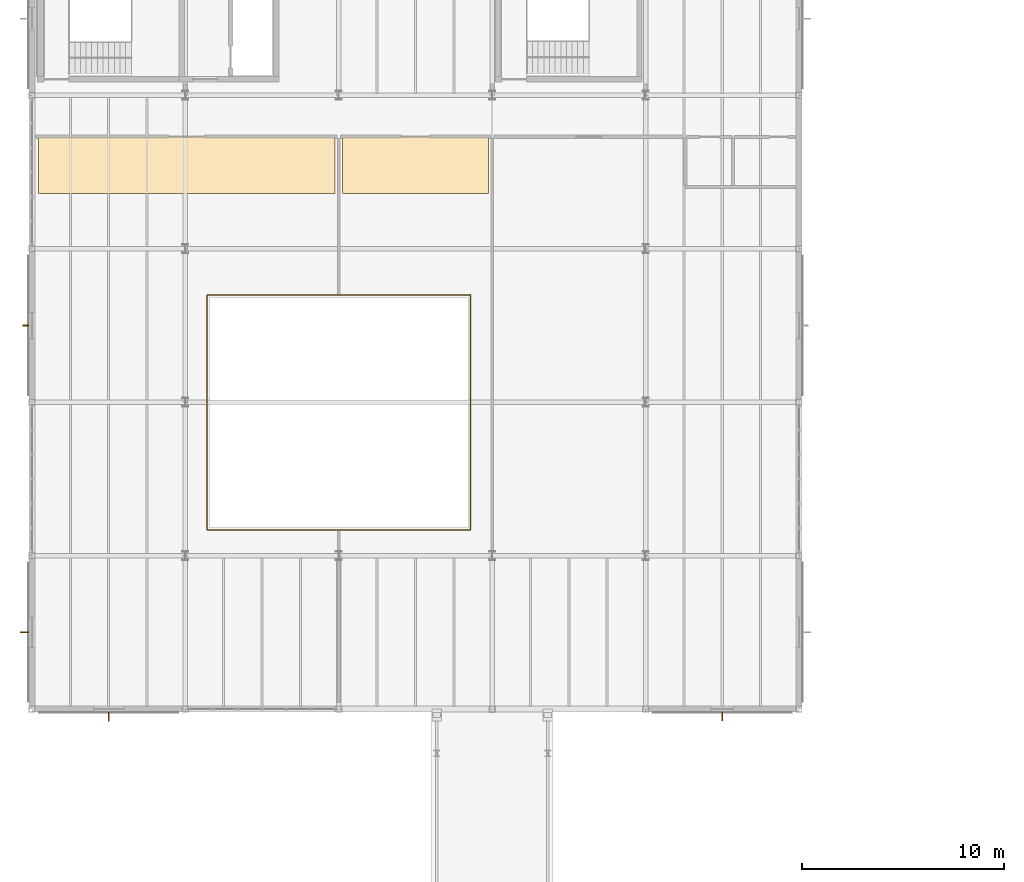
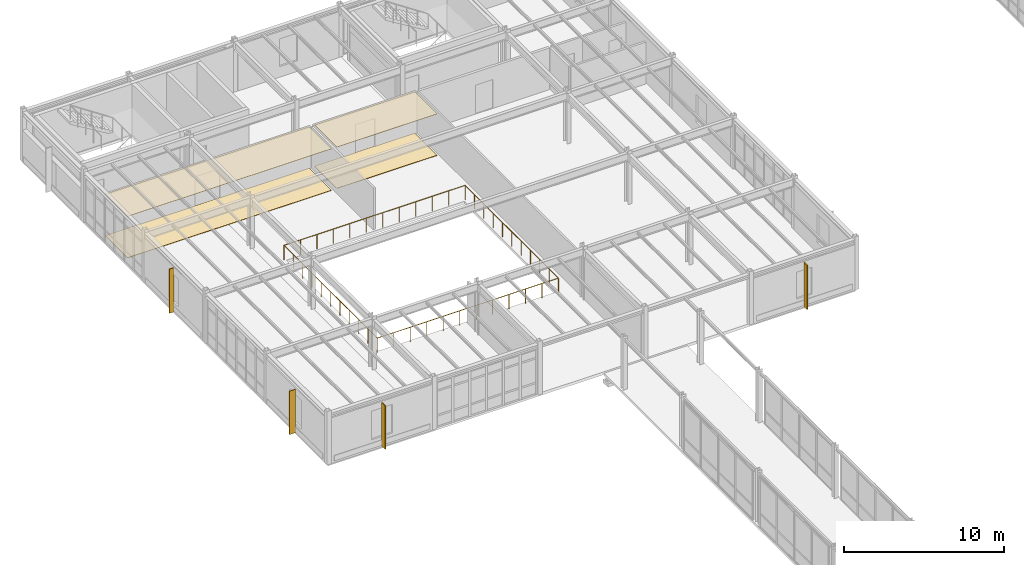
# One storey, part 156 of 165: 4 coverings, 4 shading devices, 1 railing.
"""IFC4 building model written with IfcOpenShell, lengths in metres."""

import ifcopenshell
import ifcopenshell.guid

model = None  # the IFC model being written
_history = None  # IfcOwnerHistory: only IFC2X3 demands one
_inside = {}  # id of a spatial element -> (the spatial element, [elements in it])
_under = {}  # id of a project, library or spatial element -> (it, [spatial elements below it])
_declared = {}  # id of a project -> (the project, [libraries it declares])
_typed = {}  # id of a type object -> (the type object, [elements of that type])
_made_of = {}  # id of a material, layer set ... -> (it, [elements and type objects made of it])


def new_model(schema):
    """Start an empty IFC model of exactly this schema.

    Asked for "IFC4X3", IfcOpenShell would pick the latest addendum, in which some entities
    have other attributes; the version numbers below select the first issue.
    IFC2X3 requires an IfcOwnerHistory on every rooted entity: one is made here for all.
    """
    global model, _history
    if schema == "IFC4X3":
        model = ifcopenshell.file(schema_version=(4, 3, 0, 0))
    else:
        model = ifcopenshell.file(schema=schema)
    _inside.clear()
    _under.clear()
    _declared.clear()
    _typed.clear()
    _made_of.clear()
    _history = None
    if model.schema == "IFC2X3":
        org = make("IfcOrganization", Name="unknown")
        user = make(
            "IfcPersonAndOrganization",
            ThePerson=make("IfcPerson", FamilyName="unknown"),
            TheOrganization=org,
        )
        app = make(
            "IfcApplication",
            ApplicationDeveloper=org,
            Version="unknown",
            ApplicationFullName="unknown",
            ApplicationIdentifier="unknown",
        )
        _history = make(
            "IfcOwnerHistory",
            OwningUser=user,
            OwningApplication=app,
            ChangeAction="ADDED",
            CreationDate=0,
        )
    return model


def make(cls, **values):
    """One entity of the class cls with the attributes given. An attribute that is None is left unset."""
    return model.create_entity(
        cls, **{name: value for name, value in values.items() if value is not None}
    )


def rooted(cls, **values):
    """An entity with a GlobalId (a new one), such as an element, a storey or a relation."""
    return make(cls, GlobalId=ifcopenshell.guid.new(), OwnerHistory=_history, **values)


def si_unit(unit_type, name, prefix=None):
    """IfcSIUnit, for example si_unit("LENGTHUNIT", "METRE", prefix="MILLI")."""
    return make("IfcSIUnit", UnitType=unit_type, Prefix=prefix, Name=name)


def assignment(units):
    """IfcUnitAssignment: the units of a project."""
    return None if units is None else make("IfcUnitAssignment", Units=units)


def point(xyz):
    """IfcCartesianPoint."""
    return None if xyz is None else make("IfcCartesianPoint", Coordinates=xyz)


def direction(xyz):
    """IfcDirection."""
    return None if xyz is None else make("IfcDirection", DirectionRatios=xyz)


def frame(location, z_axis=None, x_axis=None):
    """IfcAxis2Placement3D, a coordinate frame: its origin and axes. An axis left out is left unset."""
    return make(
        "IfcAxis2Placement3D",
        Location=point(location),
        Axis=direction(z_axis),
        RefDirection=direction(x_axis),
    )


def frame_2d(location, x_axis=None):
    """IfcAxis2Placement2D, a coordinate frame in the plane: its origin and x axis."""
    return make(
        "IfcAxis2Placement2D", Location=point(location), RefDirection=direction(x_axis)
    )


def origin():
    """The frame at (0, 0, 0) with its axes left unset."""
    return frame((0.0, 0.0, 0.0))


def origin_2d():
    """The frame at (0, 0) in the plane with its x axis left unset."""
    return frame_2d((0.0, 0.0))


def place(relative_to, where):
    """IfcLocalPlacement: puts the frame where relative to a parent placement (None: the world)."""
    return make(
        "IfcLocalPlacement", PlacementRelTo=relative_to, RelativePlacement=where
    )


def context(
    kind, dimensions, precision=None, world=None, true_north=None, identifier=None
):
    """IfcGeometricRepresentationContext, for example the 3D "Model" context."""
    return make(
        "IfcGeometricRepresentationContext",
        ContextIdentifier=identifier,
        ContextType=kind,
        CoordinateSpaceDimension=dimensions,
        Precision=precision,
        WorldCoordinateSystem=world,
        TrueNorth=true_north,
    )


def subcontext(parent, identifier, kind, view, scale=None):
    """IfcGeometricRepresentationSubContext, for example "Body" below "Model"."""
    return make(
        "IfcGeometricRepresentationSubContext",
        ContextIdentifier=identifier,
        ContextType=kind,
        ParentContext=parent,
        TargetScale=scale,
        TargetView=view,
    )


def project(units=None, contexts=None):
    """IfcProject with its units and contexts."""
    return rooted(
        "IfcProject",
        Name="project",
        RepresentationContexts=contexts,
        UnitsInContext=assignment(units),
    )


def spatial(cls, under=None, at=None, **own):
    """A site, building, storey or space (cls), placed at a placement, below another one or the project."""
    s = rooted(cls, ObjectPlacement=at, **own)
    if under is not None:
        _under.setdefault(under.id(), (under, []))[1].append(s)
    return s


def polyline(points):
    """IfcPolyline through the points."""
    return make("IfcPolyline", Points=[point(p) for p in points])


def profile(cls, at=None, kind="AREA", **sizes):
    """A parametric profile (cls). Its sizes go by their IFC names, for example OverallWidth=200.0."""
    return make(cls, ProfileType=kind, Position=at, **sizes)


def rectangle(**sizes):
    """IfcRectangleProfileDef."""
    return profile("IfcRectangleProfileDef", **sizes)


def circle(**sizes):
    """IfcCircleProfileDef."""
    return profile("IfcCircleProfileDef", **sizes)


def outline(outer, holes=None, kind="AREA"):
    """IfcArbitraryClosedProfileDef: a profile drawn as a closed curve; with holes, ...WithVoids."""
    if holes is None:
        return make("IfcArbitraryClosedProfileDef", ProfileType=kind, OuterCurve=outer)
    return make(
        "IfcArbitraryProfileDefWithVoids",
        ProfileType=kind,
        OuterCurve=outer,
        InnerCurves=holes,
    )


def extrude(swept, where, along, depth):
    """IfcExtrudedAreaSolid: the profile swept, set in the frame where, extruded along a direction by depth."""
    return make(
        "IfcExtrudedAreaSolid",
        SweptArea=swept,
        Position=where,
        ExtrudedDirection=direction(along),
        Depth=depth,
    )


def shape(context_of_items, identifier, shape_type, items):
    """IfcShapeRepresentation: the items that make up one representation, for example the "Body"."""
    return make(
        "IfcShapeRepresentation",
        ContextOfItems=context_of_items,
        RepresentationIdentifier=identifier,
        RepresentationType=shape_type,
        Items=items,
    )


def material(Name=None, Category=None):
    """IfcMaterial."""
    return make("IfcMaterial", Name=Name, Category=Category)


def layer(
    of_material, thickness, ventilated=None, Name=None, Category=None, Priority=None
):
    """IfcMaterialLayer: one layer of a wall or slab, of a material (None: an air gap)."""
    return make(
        "IfcMaterialLayer",
        Material=of_material,
        LayerThickness=thickness,
        IsVentilated=ventilated,
        Name=Name,
        Category=Category,
        Priority=Priority,
    )


def layer_set(layers, Name=None):
    """IfcMaterialLayerSet."""
    return make("IfcMaterialLayerSet", MaterialLayers=layers, LayerSetName=Name)


def made_of(thing, what):
    """Note that an element or type object is made of a material, layer set ...; save() writes the relation."""
    if what is not None:
        _made_of.setdefault(what.id(), (what, []))[1].append(thing)
    return thing


def type_object(cls, material=None, **own):
    """A type object (cls), such as IfcWallType, which elements share."""
    return made_of(rooted(cls, **own), material)


def element(
    cls,
    number,
    at=None,
    inside=None,
    cuts=None,
    type_object=None,
    material=None,
    context=None,
    identifier="Body",
    shape_type=None,
    held_by="IfcProductDefinitionShape",
    body=None,
    shapes=None,
    **own,
):
    """One element of the class cls, such as IfcWall. Its Tag is "e" and its number.

    at: its placement. inside: the storey or other place that contains it. cuts: it is an
    opening in that element (IfcRelVoidsElement). A single representation is given by context,
    identifier, shape_type and body (its items); several are given by shapes. held_by: the class
    of the entity that holds the representations. save() writes the other relations.
    """
    e = rooted(cls, Tag="e%d" % number, ObjectPlacement=at, **own)
    if body is not None:
        shapes = [shape(context, identifier, shape_type, body)]
    if shapes is not None:
        e.Representation = make(held_by, Representations=shapes)
    if inside is not None:
        _inside.setdefault(inside.id(), (inside, []))[1].append(e)
    if cuts is not None:
        rooted(
            "IfcRelVoidsElement", RelatingBuildingElement=cuts, RelatedOpeningElement=e
        )
    if type_object is not None:
        _typed.setdefault(type_object.id(), (type_object, []))[1].append(e)
    return made_of(e, material)


def aggregate(whole, parts):
    """IfcRelAggregates: a whole, such as a stair, and the parts it consists of."""
    return rooted("IfcRelAggregates", RelatingObject=whole, RelatedObjects=parts)


def save(model, path):
    """Write the relations noted so far, then the file.

    IfcRelAggregates (storeys below a building ...), IfcRelContainedInSpatialStructure (elements
    in a storey), IfcRelDefinesByType, IfcRelAssociatesMaterial and IfcRelDeclares: one each for
    every whole, place, type object, material and project.
    """
    for whole, parts in _under.values():
        aggregate(whole, parts)
    for where, things in _inside.values():
        rooted(
            "IfcRelContainedInSpatialStructure",
            RelatedElements=things,
            RelatingStructure=where,
        )
    for kind, things in _typed.values():
        rooted("IfcRelDefinesByType", RelatedObjects=things, RelatingType=kind)
    for what, things in _made_of.values():
        rooted("IfcRelAssociatesMaterial", RelatedObjects=things, RelatingMaterial=what)
    for by, libraries in _declared.values():
        rooted("IfcRelDeclares", RelatingContext=by, RelatedDefinitions=libraries)
    model.write(path)


model = new_model("IFC4")

# Units and contexts
model_context = context("Model", 3, precision=1e-05, world=origin(), true_north=direction((0.0, 1.0)))
body_context = subcontext(model_context, "Body", "Model", "MODEL_VIEW")
ifc_project = project(units=[si_unit("LENGTHUNIT", "METRE"), si_unit("AREAUNIT", "SQUARE_METRE"), si_unit("VOLUMEUNIT", "CUBIC_METRE"), si_unit("PLANEANGLEUNIT", "RADIAN"), si_unit("MASSUNIT", "GRAM", prefix="KILO")], contexts=[model_context])

# Site, building, storey
site_placement = place(None, origin())
site = spatial("IfcSite", under=ifc_project, at=site_placement, CompositionType="ELEMENT")
building_placement = place(site_placement, origin())
building = spatial("IfcBuilding", under=site, at=building_placement, Name="Montecoro Central Library", CompositionType="ELEMENT")
storey_placement = place(building_placement, frame((0.0, 0.0, 5.10009765625)))
storey = spatial("IfcBuildingStorey", under=building, at=storey_placement, Name="L01", CompositionType="ELEMENT", Elevation=5.10009765625)

# Coverings
ifc_material_1 = material(Name="Acoustic perforated mineral ceiling")
ifc_layer_1 = layer(ifc_material_1, 0.02490234375)
ifc_layer_set_1 = layer_set([ifc_layer_1], Name="Acoustic perforated mineral ceiling")
covering_type_1 = type_object("IfcCoveringType", Name="COV-CLG-01", PredefinedType="CEILING", material=ifc_layer_set_1)
covering_1_placement = place(storey_placement, frame((0.0, 0.0, 3.15478515625)))
element("IfcCovering", 1, at=covering_1_placement, inside=storey, type_object=covering_type_1, Name="CLG-SP-V4-L01-R1P1", PredefinedType="CEILING", context=body_context, shape_type="SweptSolid", body=[
    extrude(outline(polyline([(5.320068359375, 98.949951171875), (20.010009765625, 98.949951171875), (20.010009765625, 101.75), (5.320068359375, 101.75), (5.320068359375, 98.949951171875)])), origin(), (0.0, 0.0, 1.0), 0.025146484375),
])
ifc_layer_2 = layer(ifc_material_1, 0.031982421875)
ifc_layer_set_2 = layer_set([ifc_layer_2], Name="Acoustic perforated mineral ceiling")
covering_type_2 = type_object("IfcCoveringType", Name="COV-CLG-02", PredefinedType="CEILING", material=ifc_layer_set_2)
covering_2_placement = place(storey_placement, frame((0.0, 0.0, 3.14794921875)))
element("IfcCovering", 2, at=covering_2_placement, inside=storey, type_object=covering_type_2, Name="CLG-SP-V4-L01-R2P1", PredefinedType="CEILING", context=body_context, shape_type="SweptSolid", body=[
    extrude(outline(polyline([(20.389892578125, 98.949951171875), (27.610107421875, 98.949951171875), (27.610107421875, 101.75), (20.389892578125, 101.75), (20.389892578125, 98.949951171875)])), origin(), (0.0, 0.0, 1.0), 0.031982421875),
])
ifc_material_2 = material(Name="Neapolitan brass-inlaid terrazzo flooring")
ifc_layer_3 = layer(ifc_material_2, 0.028076171875)
ifc_layer_set_3 = layer_set([ifc_layer_3], Name="Neapolitan brass-inlaid terrazzo flooring")
covering_type_3 = type_object("IfcCoveringType", Name="COV-FLR-01", PredefinedType="FLOORING", material=ifc_layer_set_3)
covering_3_placement = place(storey_placement, origin())
element("IfcCovering", 3, at=covering_3_placement, inside=storey, type_object=covering_type_3, Name="FLR-SP-V4-L01-R1P1", PredefinedType="FLOORING", context=body_context, shape_type="SweptSolid", body=[
    extrude(outline(polyline([(5.320068359375, 98.949951171875), (20.010009765625, 98.949951171875), (20.010009765625, 101.75), (5.320068359375, 101.75), (5.320068359375, 98.949951171875)])), origin(), (0.0, 0.0, 1.0), 0.02783203125),
])
ifc_layer_4 = layer(ifc_material_2, 0.035888671875)
ifc_layer_set_4 = layer_set([ifc_layer_4], Name="Neapolitan brass-inlaid terrazzo flooring")
covering_type_4 = type_object("IfcCoveringType", Name="COV-FLR-02", PredefinedType="FLOORING", material=ifc_layer_set_4)
covering_4_placement = place(storey_placement, origin())
element("IfcCovering", 4, at=covering_4_placement, inside=storey, type_object=covering_type_4, Name="FLR-SP-V4-L01-R2P1", PredefinedType="FLOORING", context=body_context, shape_type="SweptSolid", body=[
    extrude(outline(polyline([(20.389892578125, 98.949951171875), (27.610107421875, 98.949951171875), (27.610107421875, 101.75), (20.389892578125, 101.75), (20.389892578125, 98.949951171875)])), origin(), (0.0, 0.0, 1.0), 0.035888671875),
])

# Railing
ifc_material_3 = material(Name="Brushed stainless steel and bronze balustrade", Category="steel")
railing_type = type_object("IfcRailingType", Name="GRD-INT-110", PredefinedType="GUARDRAIL", material=ifc_material_3)
railing_placement = place(storey_placement, frame((13.679931640625, 82.280029296875, 0.0)))
element("IfcRailing", 5, at=railing_placement, inside=storey, type_object=railing_type, Name="V4-L01-VOID-GRD", PredefinedType="GUARDRAIL", context=body_context, shape_type="SweptSolid", body=[
    extrude(circle(Radius=0.02392578125, at=origin_2d()), frame((0.0, 0.0, 1.09619140625), z_axis=(1.0, 0.0, 0.0), x_axis=(0.0, 1.0, 0.0)), (0.0, 0.0, 1.0), 13.0400390625),
    extrude(circle(Radius=0.02392578125, at=origin_2d()), frame((13.0400390625, 0.0, 1.09619140625), z_axis=(0.0, 1.0, 0.0), x_axis=(-1.0, 0.0, 0.0)), (0.0, 0.0, 1.0), 11.639892578125),
    extrude(circle(Radius=0.02392578125, at=origin_2d()), frame((13.0400390625, 11.639892578125, 1.09619140625), z_axis=(-1.0, 0.0, 0.0), x_axis=(0.0, -1.0, 0.0)), (0.0, 0.0, 1.0), 13.0400390625),
    extrude(circle(Radius=0.02392578125, at=origin_2d()), frame((0.0, 11.639892578125, 1.09619140625), z_axis=(0.0, -1.0, 0.0), x_axis=(1.0, 0.0, 0.0)), (0.0, 0.0, 1.0), 11.639892578125),
    extrude(circle(Radius=0.02099609375, at=origin_2d()), origin(), (0.0, 0.0, 1.0), 1.072021484375),
    extrude(circle(Radius=0.02099609375, at=origin_2d()), frame((1.185546875, 0.0, 0.0)), (0.0, 0.0, 1.0), 1.072021484375),
    extrude(circle(Radius=0.02099609375, at=origin_2d()), frame((2.370849609375, 0.0, 0.0)), (0.0, 0.0, 1.0), 1.072021484375),
    extrude(circle(Radius=0.02099609375, at=origin_2d()), frame((3.556396484375, 0.0, 0.0)), (0.0, 0.0, 1.0), 1.072021484375),
    extrude(circle(Radius=0.02099609375, at=origin_2d()), frame((4.741943359375, 0.0, 0.0)), (0.0, 0.0, 1.0), 1.072021484375),
    extrude(circle(Radius=0.02099609375, at=origin_2d()), frame((5.92724609375, 0.0, 0.0)), (0.0, 0.0, 1.0), 1.072021484375),
    extrude(circle(Radius=0.02099609375, at=origin_2d()), frame((7.11279296875, 0.0, 0.0)), (0.0, 0.0, 1.0), 1.072021484375),
    extrude(circle(Radius=0.02099609375, at=origin_2d()), frame((8.298095703125, 0.0, 0.0)), (0.0, 0.0, 1.0), 1.072021484375),
    extrude(circle(Radius=0.02099609375, at=origin_2d()), frame((9.483642578125, 0.0, 0.0)), (0.0, 0.0, 1.0), 1.072021484375),
    extrude(circle(Radius=0.02099609375, at=origin_2d()), frame((10.669189453125, 0.0, 0.0)), (0.0, 0.0, 1.0), 1.072021484375),
    extrude(circle(Radius=0.02099609375, at=origin_2d()), frame((11.8544921875, 0.0, 0.0)), (0.0, 0.0, 1.0), 1.072021484375),
    extrude(circle(Radius=0.02099609375, at=origin_2d()), frame((13.0400390625, 0.0, 0.0)), (0.0, 0.0, 1.0), 1.072021484375),
    extrude(circle(Radius=0.02099609375, at=origin_2d()), frame((13.0400390625, 1.1640625, 0.0)), (0.0, 0.0, 1.0), 1.072021484375),
    extrude(circle(Radius=0.02099609375, at=origin_2d()), frame((13.0400390625, 2.327880859375, 0.0)), (0.0, 0.0, 1.0), 1.072021484375),
    extrude(circle(Radius=0.02099609375, at=origin_2d()), frame((13.0400390625, 3.491943359375, 0.0)), (0.0, 0.0, 1.0), 1.072021484375),
    extrude(circle(Radius=0.02099609375, at=origin_2d()), frame((13.0400390625, 4.656005859375, 0.0)), (0.0, 0.0, 1.0), 1.072021484375),
    extrude(circle(Radius=0.02099609375, at=origin_2d()), frame((13.0400390625, 5.81982421875, 0.0)), (0.0, 0.0, 1.0), 1.072021484375),
    extrude(circle(Radius=0.02099609375, at=origin_2d()), frame((13.0400390625, 6.98388671875, 0.0)), (0.0, 0.0, 1.0), 1.072021484375),
    extrude(circle(Radius=0.02099609375, at=origin_2d()), frame((13.0400390625, 8.14794921875, 0.0)), (0.0, 0.0, 1.0), 1.072021484375),
    extrude(circle(Radius=0.02099609375, at=origin_2d()), frame((13.0400390625, 9.31201171875, 0.0)), (0.0, 0.0, 1.0), 1.072021484375),
    extrude(circle(Radius=0.02099609375, at=origin_2d()), frame((13.0400390625, 10.475830078125, 0.0)), (0.0, 0.0, 1.0), 1.072021484375),
    extrude(circle(Radius=0.02099609375, at=origin_2d()), frame((13.0400390625, 11.639892578125, 0.0)), (0.0, 0.0, 1.0), 1.072021484375),
    extrude(circle(Radius=0.02099609375, at=origin_2d()), frame((11.8544921875, 11.639892578125, 0.0)), (0.0, 0.0, 1.0), 1.072021484375),
    extrude(circle(Radius=0.02099609375, at=origin_2d()), frame((10.669189453125, 11.639892578125, 0.0)), (0.0, 0.0, 1.0), 1.072021484375),
    extrude(circle(Radius=0.02099609375, at=origin_2d()), frame((9.483642578125, 11.639892578125, 0.0)), (0.0, 0.0, 1.0), 1.072021484375),
    extrude(circle(Radius=0.02099609375, at=origin_2d()), frame((8.298095703125, 11.639892578125, 0.0)), (0.0, 0.0, 1.0), 1.072021484375),
    extrude(circle(Radius=0.02099609375, at=origin_2d()), frame((7.11279296875, 11.639892578125, 0.0)), (0.0, 0.0, 1.0), 1.072021484375),
    extrude(circle(Radius=0.02099609375, at=origin_2d()), frame((5.92724609375, 11.639892578125, 0.0)), (0.0, 0.0, 1.0), 1.072021484375),
    extrude(circle(Radius=0.02099609375, at=origin_2d()), frame((4.741943359375, 11.639892578125, 0.0)), (0.0, 0.0, 1.0), 1.072021484375),
    extrude(circle(Radius=0.02099609375, at=origin_2d()), frame((3.556396484375, 11.639892578125, 0.0)), (0.0, 0.0, 1.0), 1.072021484375),
    extrude(circle(Radius=0.02099609375, at=origin_2d()), frame((2.370849609375, 11.639892578125, 0.0)), (0.0, 0.0, 1.0), 1.072021484375),
    extrude(circle(Radius=0.02099609375, at=origin_2d()), frame((1.185546875, 11.639892578125, 0.0)), (0.0, 0.0, 1.0), 1.072021484375),
    extrude(circle(Radius=0.02099609375, at=origin_2d()), frame((0.0, 11.639892578125, 0.0)), (0.0, 0.0, 1.0), 1.072021484375),
    extrude(circle(Radius=0.02099609375, at=origin_2d()), frame((0.0, 10.475830078125, 0.0)), (0.0, 0.0, 1.0), 1.072021484375),
    extrude(circle(Radius=0.02099609375, at=origin_2d()), frame((0.0, 9.31201171875, 0.0)), (0.0, 0.0, 1.0), 1.072021484375),
    extrude(circle(Radius=0.02099609375, at=origin_2d()), frame((0.0, 8.14794921875, 0.0)), (0.0, 0.0, 1.0), 1.072021484375),
    extrude(circle(Radius=0.02099609375, at=origin_2d()), frame((0.0, 6.98388671875, 0.0)), (0.0, 0.0, 1.0), 1.072021484375),
    extrude(circle(Radius=0.02099609375, at=origin_2d()), frame((0.0, 5.81982421875, 0.0)), (0.0, 0.0, 1.0), 1.072021484375),
    extrude(circle(Radius=0.02099609375, at=origin_2d()), frame((0.0, 4.656005859375, 0.0)), (0.0, 0.0, 1.0), 1.072021484375),
    extrude(circle(Radius=0.02099609375, at=origin_2d()), frame((0.0, 3.491943359375, 0.0)), (0.0, 0.0, 1.0), 1.072021484375),
    extrude(circle(Radius=0.02099609375, at=origin_2d()), frame((0.0, 2.327880859375, 0.0)), (0.0, 0.0, 1.0), 1.072021484375),
    extrude(circle(Radius=0.02099609375, at=origin_2d()), frame((0.0, 1.1640625, 0.0)), (0.0, 0.0, 1.0), 1.072021484375),
])

# Shading devices
ifc_material_4 = material(Name="Architectural bronze solar fin", Category="aluminium")
shading_device_type_1 = type_object("IfcShadingDeviceType", Name="SHD-FIN-05", PredefinedType="USERDEFINED", material=ifc_material_4)
for number, where, z_axis, x_axis, name in (
    (6, (8.800048828125, 73.027099609375, 0.08984375), (0.0, 0.0, 1.0), (1.0, 0.0, 0.0), "V4-L01-FIN-S0"),
    (7, (4.626953125, 77.199951171875, 0.08984375), (0.0, 0.0, 1.0), (0.0, -1.0, 0.0), "V4-L01-FIN-W0"),
):
    element("IfcShadingDevice", number, at=place(storey_placement, frame(where, z_axis=z_axis, x_axis=x_axis)), inside=storey, type_object=shading_device_type_1, Name=name, ObjectType="SOLAR FIN", PredefinedType="USERDEFINED", context=body_context, shape_type="SweptSolid", body=[
        extrude(rectangle(XDim=0.06005859375, YDim=0.43994140625, at=origin_2d()), origin(), (0.0, 0.0, 1.0), 3.300048828125),
    ])
shading_device_type_2 = type_object("IfcShadingDeviceType", Name="SHD-FIN-07", PredefinedType="USERDEFINED", material=ifc_material_4)
shading_device_1_placement = place(storey_placement, frame((4.697021484375, 92.39990234375, 0.06005859375), z_axis=(0.0, 0.0, 1.0), x_axis=(0.0, -1.0, 0.0)))
element("IfcShadingDevice", 8, at=shading_device_1_placement, inside=storey, type_object=shading_device_type_2, Name="V4-L01-FIN-W2", ObjectType="SOLAR FIN", PredefinedType="USERDEFINED", context=body_context, shape_type="SweptSolid", body=[
    extrude(rectangle(XDim=0.06005859375, YDim=0.300048828125, at=origin_2d()), origin(), (0.0, 0.0, 1.0), 3.360107421875),
])
shading_device_type_3 = type_object("IfcShadingDeviceType", Name="SHD-FIN-09", PredefinedType="USERDEFINED", material=ifc_material_4)
shading_device_2_placement = place(storey_placement, frame((39.199951171875, 73.037109375, 0.06005859375), z_axis=(0.0, 0.0, 1.0), x_axis=(1.0, 0.0, 0.0)))
element("IfcShadingDevice", 9, at=shading_device_2_placement, inside=storey, type_object=shading_device_type_3, Name="V4-L01-FIN-S4", ObjectType="SOLAR FIN", PredefinedType="USERDEFINED", context=body_context, shape_type="SweptSolid", body=[
    extrude(rectangle(XDim=0.06005859375, YDim=0.419921875, at=origin_2d()), origin(), (0.0, 0.0, 1.0), 3.360107421875),
])

save(model, "model.ifc")
